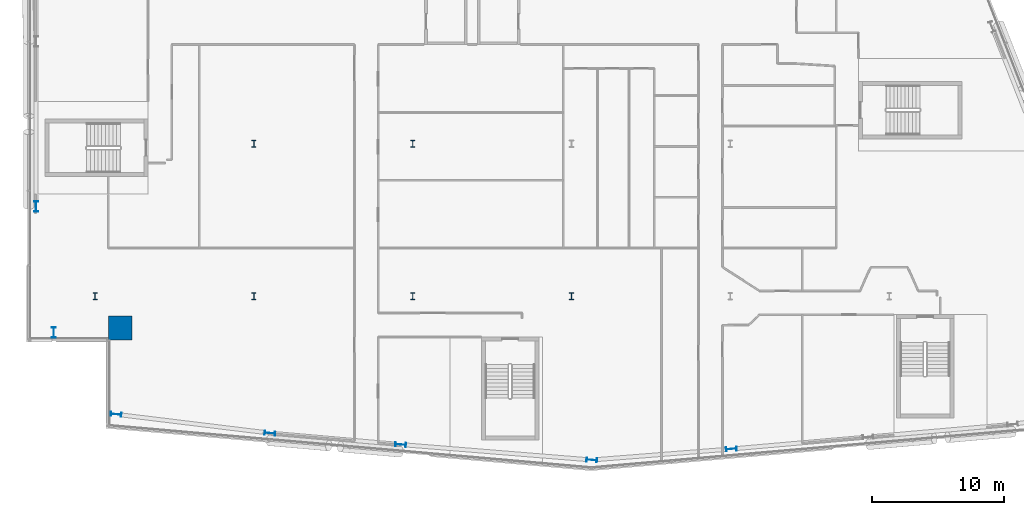
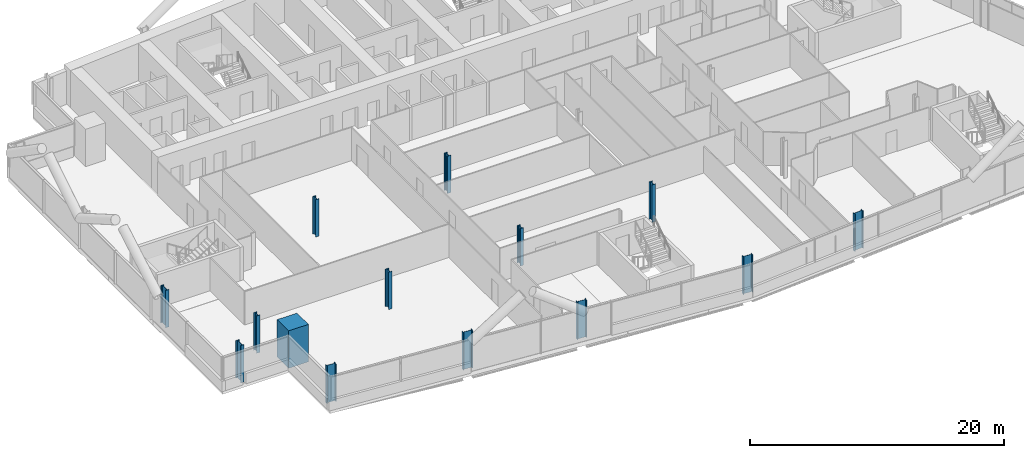
# One storey, part 1 of 26: 14 columns.
"""IFC4 building model written with IfcOpenShell, lengths in metres."""

from ifc_helpers import new_model, si_unit, direction, frame, origin, origin_2d, place, context, subcontext, project, spatial, rectangle, i_section, extrude, material, material_profile, profile_set, type_object, element, save


model = new_model("IFC4")

# Units and contexts
model_context = context("Model", 3, precision=1e-05, world=origin(), true_north=direction((0.0, 1.0)))
body_context = subcontext(model_context, "Body", "Model", "MODEL_VIEW")
ifc_project = project(units=[si_unit("LENGTHUNIT", "METRE"), si_unit("AREAUNIT", "SQUARE_METRE"), si_unit("VOLUMEUNIT", "CUBIC_METRE"), si_unit("PLANEANGLEUNIT", "RADIAN"), si_unit("MASSUNIT", "GRAM", prefix="KILO")], contexts=[model_context])

# Site, building, storey
site_placement = place(None, origin())
site = spatial("IfcSite", under=ifc_project, at=site_placement, CompositionType="ELEMENT")
building_placement = place(site_placement, origin())
building = spatial("IfcBuilding", under=site, at=building_placement, Name="Wharfspan Tower", CompositionType="ELEMENT")
storey_placement = place(building_placement, frame((0.0, 0.0, 114.699951)))
storey = spatial("IfcBuildingStorey", under=building, at=storey_placement, Name="L26", CompositionType="ELEMENT", Elevation=114.699951)

# Columns
ifc_material_1 = material(Name="Steel S355J2", Category="steel")
ifc_material_profile_1 = material_profile(ifc_material_1, i_section(OverallWidth=0.305908, OverallDepth=0.523926, WebThickness=0.020996, FlangeThickness=0.040039, FilletRadius=0.0271, at=origin_2d()))
ifc_profile_set_1 = profile_set([ifc_material_profile_1], Name="Steel S355J2")
column_type_1 = type_object("IfcColumnType", Name="Column HEM 500", PredefinedType="COLUMN", material=ifc_profile_set_1)
for number, where, z_axis, x_axis, name in (
    (1, (12.0, 11.5, 0.0), (0.0, 0.0, 1.0), (1.0, 0.0, 0.0), "Interior column I.1.1 L26"),
    (2, (24.0, 11.5, 0.0), (0.0, 0.0, 1.0), (1.0, 0.0, 0.0), "Interior column I.1.2 L26"),
    (3, (36.0, 11.5, 0.0), (0.0, 0.0, 1.0), (1.0, 0.0, 0.0), "Interior column I.1.3 L26"),
    (4, (48.0, 11.5, 0.0), (0.0, 0.0, 1.0), (1.0, 0.0, 0.0), "Interior column I.1.4 L26"),
    (5, (24.0, 23.0, 0.0), (0.0, 0.0, 1.0), (1.0, 0.0, 0.0), "Interior column I.2.1 L26"),
    (6, (36.0, 23.0, 0.0), (0.0, 0.0, 1.0), (1.0, 0.0, 0.0), "Interior column I.2.2 L26"),
):
    element("IfcColumn", number, at=place(storey_placement, frame(where, z_axis=z_axis, x_axis=x_axis)), inside=storey, type_object=column_type_1, Name=name, PredefinedType="COLUMN", context=body_context, shape_type="SweptSolid", body=[
        extrude(i_section(OverallWidth=0.305908, OverallDepth=0.523926, WebThickness=0.020996, FlangeThickness=0.040039, FilletRadius=0.0271, at=origin_2d()), origin(), (0.0, 0.0, 1.0), 3.600098),
    ])
ifc_material_profile_2 = material_profile(ifc_material_1, i_section(OverallWidth=0.302979, OverallDepth=0.813965, WebThickness=0.020996, FlangeThickness=0.040039, FilletRadius=0.030029, at=origin_2d()))
ifc_profile_set_2 = profile_set([ifc_material_profile_2], Name="Steel S355J2")
column_type_2 = type_object("IfcColumnType", Name="Column HEM 800", PredefinedType="COLUMN", material=ifc_profile_set_2)
for number, where, z_axis, x_axis, name in (
    (7, (13.590576, 2.569336, 0.0), (0.0, 0.0, 1.0), (-0.087156, -0.996198, 0.0), "Perimeter column PS1.1 L26"),
    (8, (25.213623, 1.148682, 0.0), (0.0, 0.0, 1.0), (-0.087156, -0.996198, 0.0), "Perimeter column PS1.2 L26"),
    (9, (35.089111, 0.284668, 0.0), (0.0, 0.0, 1.0), (-0.087156, -0.996198, 0.0), "Perimeter column PS1.3 L26"),
    (10, (49.53125, -0.881592, 0.0), (0.0, 0.0, 1.0), (-0.087156, -0.996198, 0.0), "Perimeter column PS1.4 L26"),
    (11, (60.077881, -0.050781, 0.0), (0.0, 0.0, 1.0), (0.087156, -0.996198, 0.0), "Perimeter column PS2.1 L26"),
    (12, (7.540039, 18.266602, 0.0), (0.0, 0.0, 1.0), (-1.0, 0.0, 0.0), "Perimeter column PW.2 L26"),
    (13, (8.884521, 8.742676, 0.0), (0.0, 0.0, 1.0), (-1.0, 0.0, 0.0), "Perimeter column PW.3 L26"),
):
    element("IfcColumn", number, at=place(storey_placement, frame(where, z_axis=z_axis, x_axis=x_axis)), inside=storey, type_object=column_type_2, Name=name, PredefinedType="COLUMN", context=body_context, shape_type="SweptSolid", body=[
        extrude(i_section(OverallWidth=0.302979, OverallDepth=0.813965, WebThickness=0.020996, FlangeThickness=0.040039, FilletRadius=0.030029, at=origin_2d()), origin(), (0.0, 0.0, 1.0), 3.600098),
    ])
ifc_material_2 = material(Name="Concrete C70/85", Category="concrete")
ifc_material_profile_3 = material_profile(ifc_material_2, rectangle(XDim=1.800049, YDim=1.800049, at=origin_2d()))
ifc_profile_set_3 = profile_set([ifc_material_profile_3], Name="Concrete C70/85")
column_type_3 = type_object("IfcColumnType", Name="Mega column 1800 C70/85", PredefinedType="COLUMN", material=ifc_profile_set_3)
column_placement = place(storey_placement, frame((13.899902, 9.100098, 0.0), z_axis=(0.0, 0.0, 1.0), x_axis=(1.0, 0.0, 0.0)))
element("IfcColumn", 14, at=column_placement, inside=storey, type_object=column_type_3, Name="Mega column MC1 L26", PredefinedType="COLUMN", context=body_context, shape_type="SweptSolid", body=[
    extrude(rectangle(XDim=1.800049, YDim=1.800049, at=origin_2d()), origin(), (0.0, 0.0, 1.0), 3.600098),
])

save(model, "model.ifc")
